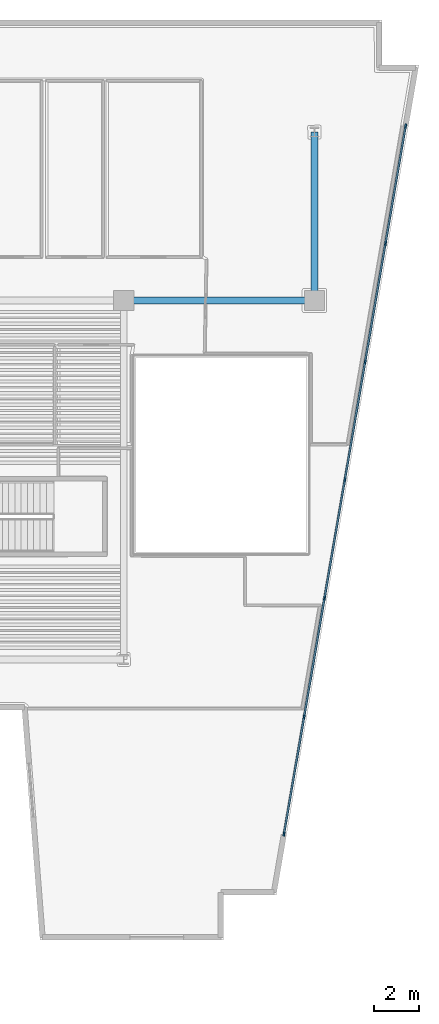
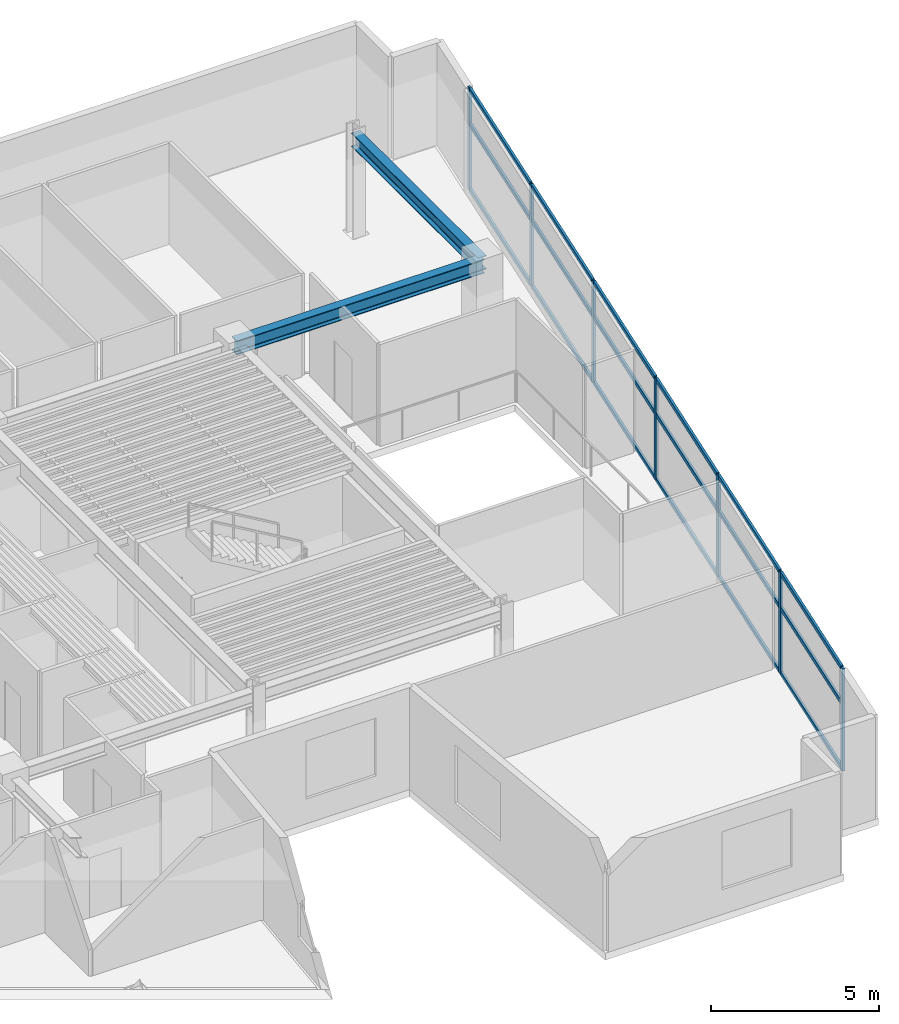
# One storey, part 2 of 10: 25 members, 2 beams, 1 element without a shape of its own.
"""IFC4 building model written with IfcOpenShell, lengths in metres."""

import ifcopenshell
import ifcopenshell.guid

model = None  # the IFC model being written
_history = None  # IfcOwnerHistory: only IFC2X3 demands one
_inside = {}  # id of a spatial element -> (the spatial element, [elements in it])
_under = {}  # id of a project, library or spatial element -> (it, [spatial elements below it])
_declared = {}  # id of a project -> (the project, [libraries it declares])
_typed = {}  # id of a type object -> (the type object, [elements of that type])
_made_of = {}  # id of a material, layer set ... -> (it, [elements and type objects made of it])


def new_model(schema):
    """Start an empty IFC model of exactly this schema.

    Asked for "IFC4X3", IfcOpenShell would pick the latest addendum, in which some entities
    have other attributes; the version numbers below select the first issue.
    IFC2X3 requires an IfcOwnerHistory on every rooted entity: one is made here for all.
    """
    global model, _history
    if schema == "IFC4X3":
        model = ifcopenshell.file(schema_version=(4, 3, 0, 0))
    else:
        model = ifcopenshell.file(schema=schema)
    _inside.clear()
    _under.clear()
    _declared.clear()
    _typed.clear()
    _made_of.clear()
    _history = None
    if model.schema == "IFC2X3":
        org = make("IfcOrganization", Name="unknown")
        user = make(
            "IfcPersonAndOrganization",
            ThePerson=make("IfcPerson", FamilyName="unknown"),
            TheOrganization=org,
        )
        app = make(
            "IfcApplication",
            ApplicationDeveloper=org,
            Version="unknown",
            ApplicationFullName="unknown",
            ApplicationIdentifier="unknown",
        )
        _history = make(
            "IfcOwnerHistory",
            OwningUser=user,
            OwningApplication=app,
            ChangeAction="ADDED",
            CreationDate=0,
        )
    return model


def make(cls, **values):
    """One entity of the class cls with the attributes given. An attribute that is None is left unset."""
    return model.create_entity(
        cls, **{name: value for name, value in values.items() if value is not None}
    )


def rooted(cls, **values):
    """An entity with a GlobalId (a new one), such as an element, a storey or a relation."""
    return make(cls, GlobalId=ifcopenshell.guid.new(), OwnerHistory=_history, **values)


def si_unit(unit_type, name, prefix=None):
    """IfcSIUnit, for example si_unit("LENGTHUNIT", "METRE", prefix="MILLI")."""
    return make("IfcSIUnit", UnitType=unit_type, Prefix=prefix, Name=name)


def assignment(units):
    """IfcUnitAssignment: the units of a project."""
    return None if units is None else make("IfcUnitAssignment", Units=units)


def point(xyz):
    """IfcCartesianPoint."""
    return None if xyz is None else make("IfcCartesianPoint", Coordinates=xyz)


def direction(xyz):
    """IfcDirection."""
    return None if xyz is None else make("IfcDirection", DirectionRatios=xyz)


def frame(location, z_axis=None, x_axis=None):
    """IfcAxis2Placement3D, a coordinate frame: its origin and axes. An axis left out is left unset."""
    return make(
        "IfcAxis2Placement3D",
        Location=point(location),
        Axis=direction(z_axis),
        RefDirection=direction(x_axis),
    )


def frame_2d(location, x_axis=None):
    """IfcAxis2Placement2D, a coordinate frame in the plane: its origin and x axis."""
    return make(
        "IfcAxis2Placement2D", Location=point(location), RefDirection=direction(x_axis)
    )


def origin():
    """The frame at (0, 0, 0) with its axes left unset."""
    return frame((0.0, 0.0, 0.0))


def origin_2d():
    """The frame at (0, 0) in the plane with its x axis left unset."""
    return frame_2d((0.0, 0.0))


def place(relative_to, where):
    """IfcLocalPlacement: puts the frame where relative to a parent placement (None: the world)."""
    return make(
        "IfcLocalPlacement", PlacementRelTo=relative_to, RelativePlacement=where
    )


def context(
    kind, dimensions, precision=None, world=None, true_north=None, identifier=None
):
    """IfcGeometricRepresentationContext, for example the 3D "Model" context."""
    return make(
        "IfcGeometricRepresentationContext",
        ContextIdentifier=identifier,
        ContextType=kind,
        CoordinateSpaceDimension=dimensions,
        Precision=precision,
        WorldCoordinateSystem=world,
        TrueNorth=true_north,
    )


def subcontext(parent, identifier, kind, view, scale=None):
    """IfcGeometricRepresentationSubContext, for example "Body" below "Model"."""
    return make(
        "IfcGeometricRepresentationSubContext",
        ContextIdentifier=identifier,
        ContextType=kind,
        ParentContext=parent,
        TargetScale=scale,
        TargetView=view,
    )


def project(units=None, contexts=None):
    """IfcProject with its units and contexts."""
    return rooted(
        "IfcProject",
        Name="project",
        RepresentationContexts=contexts,
        UnitsInContext=assignment(units),
    )


def spatial(cls, under=None, at=None, **own):
    """A site, building, storey or space (cls), placed at a placement, below another one or the project."""
    s = rooted(cls, ObjectPlacement=at, **own)
    if under is not None:
        _under.setdefault(under.id(), (under, []))[1].append(s)
    return s


def profile(cls, at=None, kind="AREA", **sizes):
    """A parametric profile (cls). Its sizes go by their IFC names, for example OverallWidth=200.0."""
    return make(cls, ProfileType=kind, Position=at, **sizes)


def rectangle(**sizes):
    """IfcRectangleProfileDef."""
    return profile("IfcRectangleProfileDef", **sizes)


def i_section(**sizes):
    """IfcIShapeProfileDef."""
    return profile("IfcIShapeProfileDef", **sizes)


def extrude(swept, where, along, depth):
    """IfcExtrudedAreaSolid: the profile swept, set in the frame where, extruded along a direction by depth."""
    return make(
        "IfcExtrudedAreaSolid",
        SweptArea=swept,
        Position=where,
        ExtrudedDirection=direction(along),
        Depth=depth,
    )


def shape(context_of_items, identifier, shape_type, items):
    """IfcShapeRepresentation: the items that make up one representation, for example the "Body"."""
    return make(
        "IfcShapeRepresentation",
        ContextOfItems=context_of_items,
        RepresentationIdentifier=identifier,
        RepresentationType=shape_type,
        Items=items,
    )


def material(Name=None, Category=None):
    """IfcMaterial."""
    return make("IfcMaterial", Name=Name, Category=Category)


def layer(
    of_material, thickness, ventilated=None, Name=None, Category=None, Priority=None
):
    """IfcMaterialLayer: one layer of a wall or slab, of a material (None: an air gap)."""
    return make(
        "IfcMaterialLayer",
        Material=of_material,
        LayerThickness=thickness,
        IsVentilated=ventilated,
        Name=Name,
        Category=Category,
        Priority=Priority,
    )


def layer_set(layers, Name=None):
    """IfcMaterialLayerSet."""
    return make("IfcMaterialLayerSet", MaterialLayers=layers, LayerSetName=Name)


def material_profile(
    of_material, cross_section, Name=None, Category=None, Priority=None
):
    """IfcMaterialProfile: a cross section and its material."""
    return make(
        "IfcMaterialProfile",
        Name=Name,
        Material=of_material,
        Profile=cross_section,
        Priority=Priority,
        Category=Category,
    )


def profile_set(profiles, Name=None, composite=None):
    """IfcMaterialProfileSet."""
    return make(
        "IfcMaterialProfileSet",
        Name=Name,
        MaterialProfiles=profiles,
        CompositeProfile=composite,
    )


def made_of(thing, what):
    """Note that an element or type object is made of a material, layer set ...; save() writes the relation."""
    if what is not None:
        _made_of.setdefault(what.id(), (what, []))[1].append(thing)
    return thing


def type_object(cls, material=None, **own):
    """A type object (cls), such as IfcWallType, which elements share."""
    return made_of(rooted(cls, **own), material)


def element(
    cls,
    number,
    at=None,
    inside=None,
    cuts=None,
    type_object=None,
    material=None,
    context=None,
    identifier="Body",
    shape_type=None,
    held_by="IfcProductDefinitionShape",
    body=None,
    shapes=None,
    **own,
):
    """One element of the class cls, such as IfcWall. Its Tag is "e" and its number.

    at: its placement. inside: the storey or other place that contains it. cuts: it is an
    opening in that element (IfcRelVoidsElement). A single representation is given by context,
    identifier, shape_type and body (its items); several are given by shapes. held_by: the class
    of the entity that holds the representations. save() writes the other relations.
    """
    e = rooted(cls, Tag="e%d" % number, ObjectPlacement=at, **own)
    if body is not None:
        shapes = [shape(context, identifier, shape_type, body)]
    if shapes is not None:
        e.Representation = make(held_by, Representations=shapes)
    if inside is not None:
        _inside.setdefault(inside.id(), (inside, []))[1].append(e)
    if cuts is not None:
        rooted(
            "IfcRelVoidsElement", RelatingBuildingElement=cuts, RelatedOpeningElement=e
        )
    if type_object is not None:
        _typed.setdefault(type_object.id(), (type_object, []))[1].append(e)
    return made_of(e, material)


def aggregate(whole, parts):
    """IfcRelAggregates: a whole, such as a stair, and the parts it consists of."""
    return rooted("IfcRelAggregates", RelatingObject=whole, RelatedObjects=parts)


def save(model, path):
    """Write the relations noted so far, then the file.

    IfcRelAggregates (storeys below a building ...), IfcRelContainedInSpatialStructure (elements
    in a storey), IfcRelDefinesByType, IfcRelAssociatesMaterial and IfcRelDeclares: one each for
    every whole, place, type object, material and project.
    """
    for whole, parts in _under.values():
        aggregate(whole, parts)
    for where, things in _inside.values():
        rooted(
            "IfcRelContainedInSpatialStructure",
            RelatedElements=things,
            RelatingStructure=where,
        )
    for kind, things in _typed.values():
        rooted("IfcRelDefinesByType", RelatedObjects=things, RelatingType=kind)
    for what, things in _made_of.values():
        rooted("IfcRelAssociatesMaterial", RelatedObjects=things, RelatingMaterial=what)
    for by, libraries in _declared.values():
        rooted("IfcRelDeclares", RelatingContext=by, RelatedDefinitions=libraries)
    model.write(path)


model = new_model("IFC4")

# Units and contexts
model_context = context("Model", 3, precision=1e-05, world=origin(), true_north=direction((0.0, 1.0)))
body_context = subcontext(model_context, "Body", "Model", "MODEL_VIEW")
ifc_project = project(units=[si_unit("LENGTHUNIT", "METRE"), si_unit("AREAUNIT", "SQUARE_METRE"), si_unit("VOLUMEUNIT", "CUBIC_METRE"), si_unit("PLANEANGLEUNIT", "RADIAN"), si_unit("MASSUNIT", "GRAM", prefix="KILO")], contexts=[model_context])

# Site, building, storey
site_placement = place(None, origin())
site = spatial("IfcSite", under=ifc_project, at=site_placement, CompositionType="ELEMENT")
building_placement = place(site_placement, origin())
building = spatial("IfcBuilding", under=site, at=building_placement, Name="Caeloran Harvest Quay", CompositionType="ELEMENT")
storey_placement = place(building_placement, frame((0.0, 0.0, 223.25)))
storey = spatial("IfcBuildingStorey", under=building, at=storey_placement, Name="L53", CompositionType="ELEMENT", Elevation=223.25)

# Beams
ifc_material_1 = material(Name="Steel S355J2", Category="steel")
ifc_material_profile_1 = material_profile(ifc_material_1, i_section(OverallWidth=0.300048828125, OverallDepth=0.5, WebThickness=0.014404296875, FlangeThickness=0.028076171875, FilletRadius=0.027099609375, at=origin_2d()), Name="HE 500 B")
ifc_profile_set_1 = profile_set([ifc_material_profile_1], Name="Steel S355J2")
beam_type = type_object("IfcBeamType", Name="BM-PG-4-HE_500_B", PredefinedType="BEAM", material=ifc_profile_set_1)
beam_1_placement = place(storey_placement, frame((34.0, 31.0, 3.449951171875), z_axis=(1.0, 0.0, 0.0), x_axis=(0.0, 1.0, 0.0)))
element("IfcBeam", 1, at=beam_1_placement, inside=storey, type_object=beam_type, Name="L53 Primary East-West Girder Y=31.0", PredefinedType="BEAM", context=body_context, shape_type="SweptSolid", body=[
    extrude(i_section(OverallWidth=0.300048828125, OverallDepth=0.5, WebThickness=0.014404296875, FlangeThickness=0.028076171875, FilletRadius=0.027099609375, at=origin_2d()), origin(), (0.0, 0.0, 1.0), 8.5),
])
beam_2_placement = place(storey_placement, frame((42.5, 31.0, 3.449951171875), z_axis=(0.0, 1.0, 0.0), x_axis=(-1.0, 0.0, 0.0)))
element("IfcBeam", 2, at=beam_2_placement, inside=storey, type_object=beam_type, Name="L53 Primary North-South Girder X=42.5", PredefinedType="BEAM", context=body_context, shape_type="SweptSolid", body=[
    extrude(i_section(OverallWidth=0.300048828125, OverallDepth=0.5, WebThickness=0.014404296875, FlangeThickness=0.028076171875, FilletRadius=0.027099609375, at=origin_2d()), origin(), (0.0, 0.0, 1.0), 7.5),
])

# Curtain wall, members
ifc_material_2 = material(Name="Aluminium 6063-T6 and Low-E Glazing", Category="aluminium")
ifc_layer = layer(ifc_material_2, 0.2099609375, Name="Aluminium 6063-T6 and Low-E Glazing")
ifc_layer_set = layer_set([ifc_layer], Name="Aluminium 6063-T6 and Low-E Glazing")
curtain_wall_type = type_object("IfcCurtainWallType", Name="CW-SYS-CW-4", PredefinedType="USERDEFINED", material=ifc_layer_set)
curtain_wall_placement = place(storey_placement, origin())
curtain_wall = element("IfcCurtainWall", 3, at=curtain_wall_placement, inside=storey, type_object=curtain_wall_type, Name="L53 Unitised Curtain Wall CW-4 Run 9", ObjectType="CURTAIN_WALL", PredefinedType="USERDEFINED")
ifc_material_3 = material(Name="Aluminium 6063-T6", Category="aluminium")
ifc_material_profile_2 = material_profile(ifc_material_3, rectangle(XDim=0.080078125, YDim=0.179931640625, at=origin_2d()), Name="CW-MULLION-180")
ifc_profile_set_2 = profile_set([ifc_material_profile_2], Name="Aluminium 6063-T6")
member_type_1 = type_object("IfcMemberType", Name="CW-MULLION-180", PredefinedType="MULLION", material=ifc_profile_set_2)
member_1_placement = place(storey_placement, frame((46.566650390625, 38.778076171875, 0.0), z_axis=(0.0, 0.0, 1.0), x_axis=(0.985548890759, -0.169391215605, 0.0)))
member_1 = element("IfcMember", 4, at=member_1_placement, type_object=member_type_1, Name="CW-4 mullion 1", PredefinedType="MULLION", context=body_context, shape_type="SweptSolid", body=[
    extrude(rectangle(XDim=0.080078125, YDim=0.179931640625, at=origin_2d()), origin(), (0.0, 0.0, 1.0), 3.699951171875),
])
member_2_placement = place(storey_placement, frame((45.667236328125, 33.545166015625, 0.0), z_axis=(0.0, 0.0, 1.0), x_axis=(0.985548890759, -0.169391215605, 0.0)))
member_2 = element("IfcMember", 5, at=member_2_placement, type_object=member_type_1, Name="CW-4 mullion 2", PredefinedType="MULLION", context=body_context, shape_type="SweptSolid", body=[
    extrude(rectangle(XDim=0.080078125, YDim=0.179931640625, at=origin_2d()), origin(), (0.0, 0.0, 1.0), 3.699951171875),
])
member_3_placement = place(storey_placement, frame((44.760986328125, 28.2724609375, 0.0), z_axis=(0.0, 0.0, 1.0), x_axis=(0.985548890759, -0.169391215605, 0.0)))
member_3 = element("IfcMember", 6, at=member_3_placement, type_object=member_type_1, Name="CW-4 mullion 3", PredefinedType="MULLION", context=body_context, shape_type="SweptSolid", body=[
    extrude(rectangle(XDim=0.080078125, YDim=0.179931640625, at=origin_2d()), origin(), (0.0, 0.0, 1.0), 3.699951171875),
])
member_4_placement = place(storey_placement, frame((43.854736328125, 23.0, 0.0), z_axis=(0.0, 0.0, 1.0), x_axis=(0.985548890759, -0.169391215605, 0.0)))
member_4 = element("IfcMember", 7, at=member_4_placement, type_object=member_type_1, Name="CW-4 mullion 4", PredefinedType="MULLION", context=body_context, shape_type="SweptSolid", body=[
    extrude(rectangle(XDim=0.080078125, YDim=0.179931640625, at=origin_2d()), origin(), (0.0, 0.0, 1.0), 3.699951171875),
])
member_5_placement = place(storey_placement, frame((42.948486328125, 17.7275390625, 0.0), z_axis=(0.0, 0.0, 1.0), x_axis=(0.985548890759, -0.169391215605, 0.0)))
member_5 = element("IfcMember", 8, at=member_5_placement, type_object=member_type_1, Name="CW-4 mullion 5", PredefinedType="MULLION", context=body_context, shape_type="SweptSolid", body=[
    extrude(rectangle(XDim=0.080078125, YDim=0.179931640625, at=origin_2d()), origin(), (0.0, 0.0, 1.0), 3.699951171875),
])
member_6_placement = place(storey_placement, frame((42.042236328125, 12.454833984375, 0.0), z_axis=(0.0, 0.0, 1.0), x_axis=(0.985548890759, -0.169391215605, 0.0)))
member_6 = element("IfcMember", 9, at=member_6_placement, type_object=member_type_1, Name="CW-4 mullion 6", PredefinedType="MULLION", context=body_context, shape_type="SweptSolid", body=[
    extrude(rectangle(XDim=0.080078125, YDim=0.179931640625, at=origin_2d()), origin(), (0.0, 0.0, 1.0), 3.699951171875),
])
member_7_placement = place(storey_placement, frame((41.142822265625, 7.221923828125, 0.0), z_axis=(0.0, 0.0, 1.0), x_axis=(0.985548890759, -0.169391215605, 0.0)))
member_7 = element("IfcMember", 10, at=member_7_placement, type_object=member_type_1, Name="CW-4 mullion 7", PredefinedType="MULLION", context=body_context, shape_type="SweptSolid", body=[
    extrude(rectangle(XDim=0.080078125, YDim=0.179931640625, at=origin_2d()), origin(), (0.0, 0.0, 1.0), 3.699951171875),
])
ifc_material_profile_3 = material_profile(ifc_material_3, rectangle(XDim=0.080078125, YDim=0.14990234375, at=origin_2d()), Name="CW-TRANSOM-150")
ifc_profile_set_3 = profile_set([ifc_material_profile_3], Name="Aluminium 6063-T6")
member_type_2 = type_object("IfcMemberType", Name="CW-TRANSOM-150", PredefinedType="USERDEFINED", material=ifc_profile_set_3)
member_8_placement = place(storey_placement, frame((46.559814453125, 38.73876953125, 0.0400390625), z_axis=(-0.169362876348, -0.985553761149, 0.0), x_axis=(0.985553761149, -0.169362876348, 0.0)))
member_8 = element("IfcMember", 11, at=member_8_placement, type_object=member_type_2, Name="CW-4 transom 1.1", ObjectType="TRANSOM", PredefinedType="USERDEFINED", context=body_context, shape_type="SweptSolid", body=[
    extrude(rectangle(XDim=0.080078125, YDim=0.14990234375, at=origin_2d()), origin(), (0.0, 0.0, 1.0), 5.229736328125),
])
member_9_placement = place(storey_placement, frame((46.559814453125, 38.73876953125, 2.39990234375), z_axis=(-0.169362876348, -0.985553761149, 0.0), x_axis=(0.985553761149, -0.169362876348, 0.0)))
member_9 = element("IfcMember", 12, at=member_9_placement, type_object=member_type_2, Name="CW-4 transom 1.2", ObjectType="TRANSOM", PredefinedType="USERDEFINED", context=body_context, shape_type="SweptSolid", body=[
    extrude(rectangle(XDim=0.080078125, YDim=0.14990234375, at=origin_2d()), origin(), (0.0, 0.0, 1.0), 5.229736328125),
])
member_10_placement = place(storey_placement, frame((46.559814453125, 38.73876953125, 3.659912109375), z_axis=(-0.169362876348, -0.985553761149, 0.0), x_axis=(0.985553761149, -0.169362876348, 0.0)))
member_10 = element("IfcMember", 13, at=member_10_placement, type_object=member_type_2, Name="CW-4 transom 1.3", ObjectType="TRANSOM", PredefinedType="USERDEFINED", context=body_context, shape_type="SweptSolid", body=[
    extrude(rectangle(XDim=0.080078125, YDim=0.14990234375, at=origin_2d()), origin(), (0.0, 0.0, 1.0), 5.229736328125),
])
member_11_placement = place(storey_placement, frame((45.660400390625, 33.505615234375, 0.0400390625), z_axis=(-0.169377856385, -0.985551186782, 0.0), x_axis=(0.985551186782, -0.169377856385, 0.0)))
member_11 = element("IfcMember", 14, at=member_11_placement, type_object=member_type_2, Name="CW-4 transom 2.1", ObjectType="TRANSOM", PredefinedType="USERDEFINED", context=body_context, shape_type="SweptSolid", body=[
    extrude(rectangle(XDim=0.080078125, YDim=0.14990234375, at=origin_2d()), origin(), (0.0, 0.0, 1.0), 5.269775390625),
])
member_12_placement = place(storey_placement, frame((45.660400390625, 33.505615234375, 2.39990234375), z_axis=(-0.169377856385, -0.985551186782, 0.0), x_axis=(0.985551186782, -0.169377856385, 0.0)))
member_12 = element("IfcMember", 15, at=member_12_placement, type_object=member_type_2, Name="CW-4 transom 2.2", ObjectType="TRANSOM", PredefinedType="USERDEFINED", context=body_context, shape_type="SweptSolid", body=[
    extrude(rectangle(XDim=0.080078125, YDim=0.14990234375, at=origin_2d()), origin(), (0.0, 0.0, 1.0), 5.269775390625),
])
member_13_placement = place(storey_placement, frame((45.660400390625, 33.505615234375, 3.659912109375), z_axis=(-0.169377856385, -0.985551186782, 0.0), x_axis=(0.985551186782, -0.169377856385, 0.0)))
member_13 = element("IfcMember", 16, at=member_13_placement, type_object=member_type_2, Name="CW-4 transom 2.3", ObjectType="TRANSOM", PredefinedType="USERDEFINED", context=body_context, shape_type="SweptSolid", body=[
    extrude(rectangle(XDim=0.080078125, YDim=0.14990234375, at=origin_2d()), origin(), (0.0, 0.0, 1.0), 5.269775390625),
])
member_14_placement = place(storey_placement, frame((44.754150390625, 28.233154296875, 0.0400390625), z_axis=(-0.169370123052, -0.985552515809, 0.0), x_axis=(0.985552515809, -0.169370123052, 0.0)))
member_14 = element("IfcMember", 17, at=member_14_placement, type_object=member_type_2, Name="CW-4 transom 3.1", ObjectType="TRANSOM", PredefinedType="USERDEFINED", context=body_context, shape_type="SweptSolid", body=[
    extrude(rectangle(XDim=0.080078125, YDim=0.14990234375, at=origin_2d()), origin(), (0.0, 0.0, 1.0), 5.27001953125),
])
member_15_placement = place(storey_placement, frame((44.754150390625, 28.233154296875, 2.39990234375), z_axis=(-0.169370123052, -0.985552515809, 0.0), x_axis=(0.985552515809, -0.169370123052, 0.0)))
member_15 = element("IfcMember", 18, at=member_15_placement, type_object=member_type_2, Name="CW-4 transom 3.2", ObjectType="TRANSOM", PredefinedType="USERDEFINED", context=body_context, shape_type="SweptSolid", body=[
    extrude(rectangle(XDim=0.080078125, YDim=0.14990234375, at=origin_2d()), origin(), (0.0, 0.0, 1.0), 5.27001953125),
])
member_16_placement = place(storey_placement, frame((44.754150390625, 28.233154296875, 3.659912109375), z_axis=(-0.169370123052, -0.985552515809, 0.0), x_axis=(0.985552515809, -0.169370123052, 0.0)))
member_16 = element("IfcMember", 19, at=member_16_placement, type_object=member_type_2, Name="CW-4 transom 3.3", ObjectType="TRANSOM", PredefinedType="USERDEFINED", context=body_context, shape_type="SweptSolid", body=[
    extrude(rectangle(XDim=0.080078125, YDim=0.14990234375, at=origin_2d()), origin(), (0.0, 0.0, 1.0), 5.27001953125),
])
member_17_placement = place(storey_placement, frame((43.847900390625, 22.960693359375, 0.0400390625), z_axis=(-0.169370123052, -0.985552515809, 0.0), x_axis=(0.985552515809, -0.169370123052, 0.0)))
member_17 = element("IfcMember", 20, at=member_17_placement, type_object=member_type_2, Name="CW-4 transom 4.1", ObjectType="TRANSOM", PredefinedType="USERDEFINED", context=body_context, shape_type="SweptSolid", body=[
    extrude(rectangle(XDim=0.080078125, YDim=0.14990234375, at=origin_2d()), origin(), (0.0, 0.0, 1.0), 5.27001953125),
])
member_18_placement = place(storey_placement, frame((43.847900390625, 22.960693359375, 2.39990234375), z_axis=(-0.169370123052, -0.985552515809, 0.0), x_axis=(0.985552515809, -0.169370123052, 0.0)))
member_18 = element("IfcMember", 21, at=member_18_placement, type_object=member_type_2, Name="CW-4 transom 4.2", ObjectType="TRANSOM", PredefinedType="USERDEFINED", context=body_context, shape_type="SweptSolid", body=[
    extrude(rectangle(XDim=0.080078125, YDim=0.14990234375, at=origin_2d()), origin(), (0.0, 0.0, 1.0), 5.27001953125),
])
member_19_placement = place(storey_placement, frame((43.847900390625, 22.960693359375, 3.659912109375), z_axis=(-0.169370123052, -0.985552515809, 0.0), x_axis=(0.985552515809, -0.169370123052, 0.0)))
member_19 = element("IfcMember", 22, at=member_19_placement, type_object=member_type_2, Name="CW-4 transom 4.3", ObjectType="TRANSOM", PredefinedType="USERDEFINED", context=body_context, shape_type="SweptSolid", body=[
    extrude(rectangle(XDim=0.080078125, YDim=0.14990234375, at=origin_2d()), origin(), (0.0, 0.0, 1.0), 5.27001953125),
])
member_20_placement = place(storey_placement, frame((42.941650390625, 17.68798828125, 0.0400390625), z_axis=(-0.169377856385, -0.985551186782, 0.0), x_axis=(0.985551186782, -0.169377856385, 0.0)))
member_20 = element("IfcMember", 23, at=member_20_placement, type_object=member_type_2, Name="CW-4 transom 5.1", ObjectType="TRANSOM", PredefinedType="USERDEFINED", context=body_context, shape_type="SweptSolid", body=[
    extrude(rectangle(XDim=0.080078125, YDim=0.14990234375, at=origin_2d()), origin(), (0.0, 0.0, 1.0), 5.269775390625),
])
member_21_placement = place(storey_placement, frame((42.941650390625, 17.68798828125, 2.39990234375), z_axis=(-0.169377856385, -0.985551186782, 0.0), x_axis=(0.985551186782, -0.169377856385, 0.0)))
member_21 = element("IfcMember", 24, at=member_21_placement, type_object=member_type_2, Name="CW-4 transom 5.2", ObjectType="TRANSOM", PredefinedType="USERDEFINED", context=body_context, shape_type="SweptSolid", body=[
    extrude(rectangle(XDim=0.080078125, YDim=0.14990234375, at=origin_2d()), origin(), (0.0, 0.0, 1.0), 5.269775390625),
])
member_22_placement = place(storey_placement, frame((42.941650390625, 17.68798828125, 3.659912109375), z_axis=(-0.169377856385, -0.985551186782, 0.0), x_axis=(0.985551186782, -0.169377856385, 0.0)))
member_22 = element("IfcMember", 25, at=member_22_placement, type_object=member_type_2, Name="CW-4 transom 5.3", ObjectType="TRANSOM", PredefinedType="USERDEFINED", context=body_context, shape_type="SweptSolid", body=[
    extrude(rectangle(XDim=0.080078125, YDim=0.14990234375, at=origin_2d()), origin(), (0.0, 0.0, 1.0), 5.269775390625),
])
member_23_placement = place(storey_placement, frame((42.03564453125, 12.41552734375, 0.0400390625), z_axis=(-0.169408218949, -0.985545968158, 0.0), x_axis=(0.985545968158, -0.169408218949, 0.0)))
member_23 = element("IfcMember", 26, at=member_23_placement, type_object=member_type_2, Name="CW-4 transom 6.1", ObjectType="TRANSOM", PredefinedType="USERDEFINED", context=body_context, shape_type="SweptSolid", body=[
    extrude(rectangle(XDim=0.080078125, YDim=0.14990234375, at=origin_2d()), origin(), (0.0, 0.0, 1.0), 5.22998046875),
])
member_24_placement = place(storey_placement, frame((42.03564453125, 12.41552734375, 2.39990234375), z_axis=(-0.169408218949, -0.985545968158, 0.0), x_axis=(0.985545968158, -0.169408218949, 0.0)))
member_24 = element("IfcMember", 27, at=member_24_placement, type_object=member_type_2, Name="CW-4 transom 6.2", ObjectType="TRANSOM", PredefinedType="USERDEFINED", context=body_context, shape_type="SweptSolid", body=[
    extrude(rectangle(XDim=0.080078125, YDim=0.14990234375, at=origin_2d()), origin(), (0.0, 0.0, 1.0), 5.22998046875),
])
member_25_placement = place(storey_placement, frame((42.03564453125, 12.41552734375, 3.659912109375), z_axis=(-0.169408218949, -0.985545968158, 0.0), x_axis=(0.985545968158, -0.169408218949, 0.0)))
member_25 = element("IfcMember", 28, at=member_25_placement, type_object=member_type_2, Name="CW-4 transom 6.3", ObjectType="TRANSOM", PredefinedType="USERDEFINED", context=body_context, shape_type="SweptSolid", body=[
    extrude(rectangle(XDim=0.080078125, YDim=0.14990234375, at=origin_2d()), origin(), (0.0, 0.0, 1.0), 5.22998046875),
])
aggregate(curtain_wall, [member_1, member_2, member_3, member_4, member_5, member_6, member_7, member_8, member_9, member_10, member_11, member_12, member_13, member_14, member_15, member_16, member_17, member_18, member_19, member_20, member_21, member_22, member_23, member_24, member_25])

save(model, "model.ifc")
